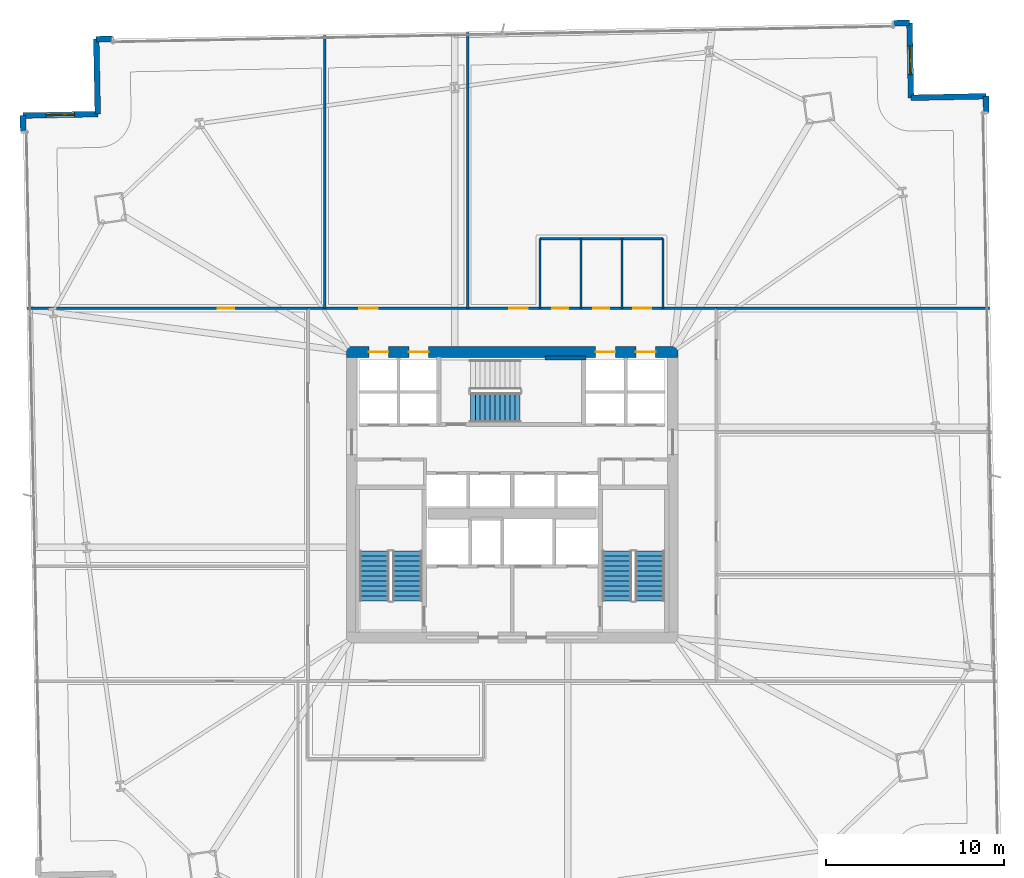
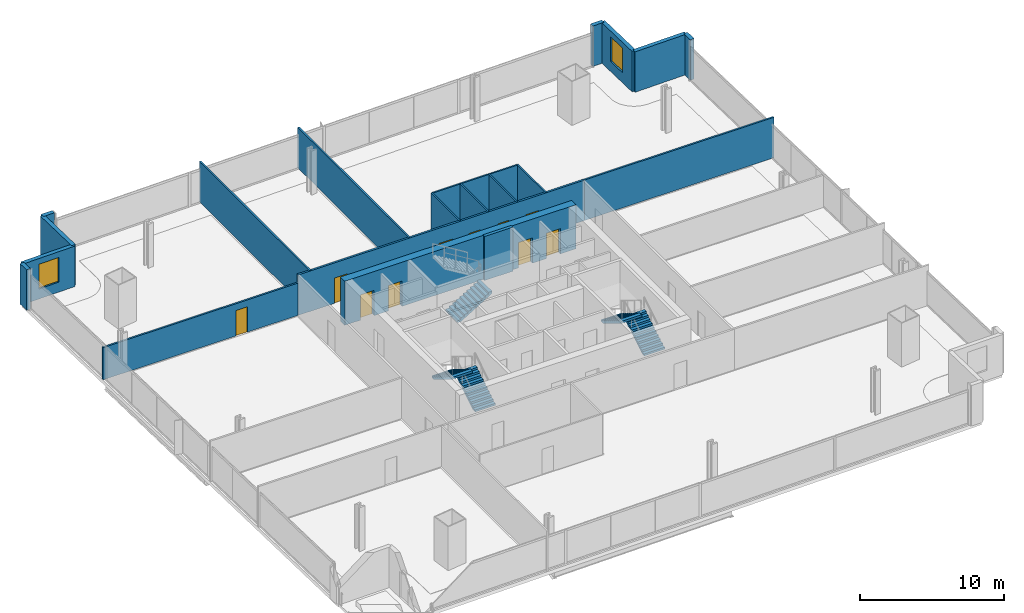
# One storey, part 29 of 35: 20 walls, 10 doors, 5 stair flights, 2 windows, 12 openings, 3 elements without a shape of their own.
"""IFC4 building model written with IfcOpenShell, lengths in metres."""

from ifc_helpers import new_model, si_unit, direction, frame, frame_2d, origin, place, context, subcontext, project, spatial, polyline, rectangle, outline, extrude, material, layer, layer_set, type_object, element, fill, aggregate, save


model = new_model("IFC4")

# Units and contexts
model_context = context("Model", 3, precision=1e-05, world=origin(), true_north=direction((0.0, 1.0)))
body_context = subcontext(model_context, "Body", "Model", "MODEL_VIEW")
ifc_project = project(units=[si_unit("LENGTHUNIT", "METRE"), si_unit("AREAUNIT", "SQUARE_METRE"), si_unit("VOLUMEUNIT", "CUBIC_METRE"), si_unit("PLANEANGLEUNIT", "RADIAN"), si_unit("MASSUNIT", "GRAM", prefix="KILO")], contexts=[model_context])

# Site, building, storey
site_placement = place(None, origin())
site = spatial("IfcSite", under=ifc_project, at=site_placement, CompositionType="ELEMENT")
building_placement = place(site_placement, origin())
building = spatial("IfcBuilding", under=site, at=building_placement, Name="Haldenkirk Collegiate Tower", CompositionType="ELEMENT")
storey_placement = place(building_placement, frame((0.0, 0.0, 32.699951171875)))
storey = spatial("IfcBuildingStorey", under=building, at=storey_placement, Name="L06", CompositionType="ELEMENT", Elevation=32.699951171875)

# Wall, openings, doors
ifc_material_1 = material(Name="Concrete f'c 70 MPa", Category="concrete")
ifc_layer_1 = layer(ifc_material_1, 0.60009765625)
ifc_layer_set_1 = layer_set([ifc_layer_1], Name="Concrete f'c 70 MPa")
wall_type_1 = type_object("IfcWallType", Name="WL-CORE-600", PredefinedType="SHEAR", material=ifc_layer_set_1)
wall_1_placement = place(storey_placement, frame((26.699951171875, 34.0, 0.0), z_axis=(0.0, 0.0, 1.0), x_axis=(1.0, 0.0, 0.0)))
wall_1 = element("IfcWall", 1, at=wall_1_placement, inside=storey, type_object=wall_type_1, Name="L06 central core shear wall N", PredefinedType="SHEAR", context=body_context, shape_type="SweptSolid", body=[
    extrude(rectangle(XDim=18.60009765625, YDim=0.60009765625, at=frame_2d((9.300048828125, 0.0))), origin(), (0.0, 0.0, 1.0), 3.75),
])
opening_1_placement = place(wall_1_placement, frame((1.264892578125, 0.0, 0.0)))
opening_1 = element("IfcOpeningElement", 2, at=opening_1_placement, cuts=wall_1, Name="Opening LD-11", PredefinedType="OPENING", context=body_context, shape_type="SweptSolid", body=[
    extrude(rectangle(XDim=1.10009765625, YDim=2.14990234375, at=frame_2d((0.550048828125, 1.074951171875))), frame((0.0, 0.31005859375, 0.0), z_axis=(0.0, -1.0, 0.0), x_axis=(1.0, 0.0, 0.0)), (0.0, 0.0, 1.0), 0.6201171875),
])
opening_2_placement = place(wall_1_placement, frame((3.514892578125, 0.0, 0.0)))
opening_2 = element("IfcOpeningElement", 3, at=opening_2_placement, cuts=wall_1, Name="Opening LD-11", PredefinedType="OPENING", context=body_context, shape_type="SweptSolid", body=[
    extrude(rectangle(XDim=1.10009765625, YDim=2.14990234375, at=frame_2d((0.550048828125, 1.074951171875))), frame((0.0, 0.31005859375, 0.0), z_axis=(0.0, -1.0, 0.0), x_axis=(1.0, 0.0, 0.0)), (0.0, 0.0, 1.0), 0.6201171875),
])
opening_3_placement = place(wall_1_placement, frame((13.985107421875, 0.0, 0.0)))
opening_3 = element("IfcOpeningElement", 4, at=opening_3_placement, cuts=wall_1, Name="Opening LD-11", PredefinedType="OPENING", context=body_context, shape_type="SweptSolid", body=[
    extrude(rectangle(XDim=1.10009765625, YDim=2.14990234375, at=frame_2d((0.550048828125, 1.074951171875))), frame((0.0, 0.31005859375, 0.0), z_axis=(0.0, -1.0, 0.0), x_axis=(1.0, 0.0, 0.0)), (0.0, 0.0, 1.0), 0.6201171875),
])
opening_4_placement = place(wall_1_placement, frame((16.235107421875, 0.0, 0.0)))
opening_4 = element("IfcOpeningElement", 5, at=opening_4_placement, cuts=wall_1, Name="Opening LD-11", PredefinedType="OPENING", context=body_context, shape_type="SweptSolid", body=[
    extrude(rectangle(XDim=1.10009765625, YDim=2.14990234375, at=frame_2d((0.550048828125, 1.074951171875))), frame((0.0, 0.31005859375, 0.0), z_axis=(0.0, -1.0, 0.0), x_axis=(1.0, 0.0, 0.0)), (0.0, 0.0, 1.0), 0.6201171875),
])
ifc_material_2 = material(Name="Brushed architectural stainless steel", Category="steel")
ifc_layer_2 = layer(ifc_material_2, 0.06005859375)
ifc_layer_set_2 = layer_set([ifc_layer_2], Name="Brushed architectural stainless steel")
door_type_1 = type_object("IfcDoorType", Name="LD-PASS-1100", OperationType="NOTDEFINED", PredefinedType="DOOR", material=ifc_layer_set_2)
door_1_placement = place(opening_1_placement, origin())
door_1 = element("IfcDoor", 6, at=door_1_placement, inside=storey, type_object=door_type_1, Name="L06 Elevator PL3 sliding landing door", OperationType="SLIDING_TO_LEFT", OverallHeight=2.14990234375, OverallWidth=1.10009765625, PredefinedType="DOOR", context=body_context, shape_type="SweptSolid", body=[
    extrude(rectangle(XDim=1.10009765625, YDim=2.14990234375, at=frame_2d((0.550048828125, 1.074951171875))), frame((0.0, 0.02490234375, 0.0), z_axis=(0.0, -1.0, 0.0), x_axis=(1.0, 0.0, 0.0)), (0.0, 0.0, 1.0), 0.050048828125),
])
fill(opening_1, door_1)
door_2_placement = place(opening_2_placement, origin())
door_2 = element("IfcDoor", 7, at=door_2_placement, inside=storey, type_object=door_type_1, Name="L06 Elevator PL4 sliding landing door", OperationType="SLIDING_TO_LEFT", OverallHeight=2.14990234375, OverallWidth=1.10009765625, PredefinedType="DOOR", context=body_context, shape_type="SweptSolid", body=[
    extrude(rectangle(XDim=1.10009765625, YDim=2.14990234375, at=frame_2d((0.550048828125, 1.074951171875))), frame((0.0, 0.02490234375, 0.0), z_axis=(0.0, -1.0, 0.0), x_axis=(1.0, 0.0, 0.0)), (0.0, 0.0, 1.0), 0.050048828125),
])
fill(opening_2, door_2)
door_3_placement = place(opening_3_placement, origin())
door_3 = element("IfcDoor", 8, at=door_3_placement, inside=storey, type_object=door_type_1, Name="L06 Elevator PM3 sliding landing door", OperationType="SLIDING_TO_LEFT", OverallHeight=2.14990234375, OverallWidth=1.10009765625, PredefinedType="DOOR", context=body_context, shape_type="SweptSolid", body=[
    extrude(rectangle(XDim=1.10009765625, YDim=2.14990234375, at=frame_2d((0.550048828125, 1.074951171875))), frame((0.0, 0.02490234375, 0.0), z_axis=(0.0, -1.0, 0.0), x_axis=(1.0, 0.0, 0.0)), (0.0, 0.0, 1.0), 0.050048828125),
])
fill(opening_3, door_3)
door_4_placement = place(opening_4_placement, origin())
door_4 = element("IfcDoor", 9, at=door_4_placement, inside=storey, type_object=door_type_1, Name="L06 Elevator PM4 sliding landing door", OperationType="SLIDING_TO_LEFT", OverallHeight=2.14990234375, OverallWidth=1.10009765625, PredefinedType="DOOR", context=body_context, shape_type="SweptSolid", body=[
    extrude(rectangle(XDim=1.10009765625, YDim=2.14990234375, at=frame_2d((0.550048828125, 1.074951171875))), frame((0.0, 0.02490234375, 0.0), z_axis=(0.0, -1.0, 0.0), x_axis=(1.0, 0.0, 0.0)), (0.0, 0.0, 1.0), 0.050048828125),
])
fill(opening_4, door_4)

# Walls
ifc_material_3 = material(Name="Precast concrete f'c 40 MPa", Category="concrete")
ifc_layer_3 = layer(ifc_material_3, 0.320068359375)
ifc_layer_set_3 = layer_set([ifc_layer_3], Name="Precast concrete f'c 40 MPa")
wall_type_2 = type_object("IfcWallType", Name="WL-EXT-TWR-320", PredefinedType="STANDARD", material=ifc_layer_set_3)
wall_2_placement = place(storey_placement, frame((62.556884765625, 48.33740234375, 0.0), z_axis=(0.0, 0.0, 1.0), x_axis=(0.020348567431, -0.999792946466, 0.0)))
element("IfcWall", 10, at=wall_2_placement, inside=storey, type_object=wall_type_2, Name="L06 precast corner pier EL", PredefinedType="STANDARD", context=body_context, shape_type="SweptSolid", body=[
    extrude(rectangle(XDim=0.89990234375, YDim=0.320068359375, at=frame_2d((0.449951171875, 0.0))), origin(), (0.0, 0.0, 1.0), 3.43994140625),
])
wall_3_placement = place(storey_placement, frame((58.35791015625, 48.253173828125, 0.0), z_axis=(0.0, 0.0, 1.0), x_axis=(0.99979887282, 0.020055271302, 0.0)))
element("IfcWall", 11, at=wall_3_placement, inside=storey, type_object=wall_type_2, Name="L06 bronze precast notch wall 05", PredefinedType="STANDARD", context=body_context, shape_type="SweptSolid", body=[
    extrude(rectangle(XDim=4.19970703125, YDim=0.320068359375, at=frame_2d((2.099853515625, 0.0))), origin(), (0.0, 0.0, 1.0), 3.43994140625),
])

# Wall, opening, window
wall_4_placement = place(storey_placement, frame((58.273681640625, 52.452392578125, 0.0), z_axis=(0.0, 0.0, 1.0), x_axis=(0.020054105767, -0.9997988962, 0.0)))
wall_4 = element("IfcWall", 12, at=wall_4_placement, inside=storey, type_object=wall_type_2, Name="L06 bronze precast notch wall 06", PredefinedType="STANDARD", context=body_context, shape_type="SweptSolid", body=[
    extrude(rectangle(XDim=4.199951171875, YDim=0.320068359375, at=frame_2d((2.10009765625, 0.0))), origin(), (0.0, 0.0, 1.0), 3.43994140625),
])
opening_5_placement = place(wall_4_placement, frame((1.300048828125, 0.0, 0.85009765625)))
opening_5 = element("IfcOpeningElement", 13, at=opening_5_placement, cuts=wall_4, Name="Opening W-03", PredefinedType="OPENING", context=body_context, shape_type="SweptSolid", body=[
    extrude(rectangle(XDim=1.60009765625, YDim=2.10009765625, at=frame_2d((0.800048828125, 1.050048828125))), frame((0.0, 0.169921875, 0.0), z_axis=(0.0, -1.0, 0.0), x_axis=(1.0, 0.0, 0.0)), (0.0, 0.0, 1.0), 0.340087890625),
])
ifc_material_4 = material(Name="Low-E argon triple insulating glass", Category="glass")
ifc_layer_4 = layer(ifc_material_4, 0.090087890625)
ifc_layer_set_4 = layer_set([ifc_layer_4], Name="Low-E argon triple insulating glass")
window_type = type_object("IfcWindowType", Name="WN-Z1-1600X2100", PartitioningType="SINGLE_PANEL", PredefinedType="WINDOW", material=ifc_layer_set_4)
window_1_placement = place(opening_5_placement, origin())
window_1 = element("IfcWindow", 14, at=window_1_placement, inside=storey, type_object=window_type, Name="L06 precast-frame academic window 5", OverallHeight=2.10009765625, OverallWidth=1.60009765625, PartitioningType="SINGLE_PANEL", PredefinedType="WINDOW", context=body_context, shape_type="SweptSolid", body=[
    extrude(rectangle(XDim=1.60009765625, YDim=2.10009765625, at=frame_2d((0.800048828125, 1.050048828125))), frame((0.0, 0.030029296875, 0.0), z_axis=(0.0, -1.0, 0.0), x_axis=(1.0, 0.0, 0.0)), (0.0, 0.0, 1.0), 0.06005859375),
])
fill(opening_5, window_1)

# Walls
wall_5_placement = place(storey_placement, frame((12.682861328125, 51.537109375, 0.0), z_axis=(0.0, 0.0, 1.0), x_axis=(0.999792946466, 0.020348567431, 0.0)))
element("IfcWall", 15, at=wall_5_placement, inside=storey, type_object=wall_type_2, Name="L06 precast corner pier NL", PredefinedType="STANDARD", context=body_context, shape_type="SweptSolid", body=[
    extrude(rectangle(XDim=0.89990234375, YDim=0.320068359375, at=frame_2d((0.449951171875, 0.0))), origin(), (0.0, 0.0, 1.0), 3.43994140625),
])
wall_6_placement = place(storey_placement, frame((57.373779296875, 52.434326171875, 0.0), z_axis=(0.0, 0.0, 1.0), x_axis=(0.999798538749, 0.020071918575, 0.0)))
element("IfcWall", 16, at=wall_6_placement, inside=storey, type_object=wall_type_2, Name="L06 precast corner pier NR", PredefinedType="STANDARD", context=body_context, shape_type="SweptSolid", body=[
    extrude(rectangle(XDim=0.900146484375, YDim=0.320068359375, at=frame_2d((0.4501953125, 0.0))), origin(), (0.0, 0.0, 1.0), 3.43994140625),
])
wall_7_placement = place(storey_placement, frame((12.76708984375, 47.337890625, 0.0), z_axis=(0.0, 0.0, 1.0), x_axis=(-0.020054105767, 0.9997988962, 0.0)))
element("IfcWall", 17, at=wall_7_placement, inside=storey, type_object=wall_type_2, Name="L06 bronze precast notch wall 08", PredefinedType="STANDARD", context=body_context, shape_type="SweptSolid", body=[
    extrude(rectangle(XDim=4.199951171875, YDim=0.320068359375, at=frame_2d((2.10009765625, 0.0))), origin(), (0.0, 0.0, 1.0), 3.43994140625),
])

# Wall, opening, window
wall_8_placement = place(storey_placement, frame((8.56787109375, 47.253662109375, 0.0), z_axis=(0.0, 0.0, 1.0), x_axis=(0.9997988962, 0.020054105767, 0.0)))
wall_8 = element("IfcWall", 18, at=wall_8_placement, inside=storey, type_object=wall_type_2, Name="L06 bronze precast notch wall 09", PredefinedType="STANDARD", context=body_context, shape_type="SweptSolid", body=[
    extrude(rectangle(XDim=4.199951171875, YDim=0.320068359375, at=frame_2d((2.10009765625, 0.0))), origin(), (0.0, 0.0, 1.0), 3.43994140625),
])
opening_6_placement = place(wall_8_placement, frame((1.300048828125, 0.0, 0.85009765625)))
opening_6 = element("IfcOpeningElement", 19, at=opening_6_placement, cuts=wall_8, Name="Opening W-03", PredefinedType="OPENING", context=body_context, shape_type="SweptSolid", body=[
    extrude(rectangle(XDim=1.60009765625, YDim=2.10009765625, at=frame_2d((0.800048828125, 1.050048828125))), frame((0.0, 0.169921875, 0.0), z_axis=(0.0, -1.0, 0.0), x_axis=(1.0, 0.0, 0.0)), (0.0, 0.0, 1.0), 0.340087890625),
])
window_2_placement = place(opening_6_placement, origin())
window_2 = element("IfcWindow", 20, at=window_2_placement, inside=storey, type_object=window_type, Name="L06 precast-frame academic window 8", OverallHeight=2.10009765625, OverallWidth=1.60009765625, PartitioningType="SINGLE_PANEL", PredefinedType="WINDOW", context=body_context, shape_type="SweptSolid", body=[
    extrude(rectangle(XDim=1.60009765625, YDim=2.10009765625, at=frame_2d((0.800048828125, 1.050048828125))), frame((0.0, 0.030029296875, 0.0), z_axis=(0.0, -1.0, 0.0), x_axis=(1.0, 0.0, 0.0)), (0.0, 0.0, 1.0), 0.06005859375),
])
fill(opening_6, window_2)

# Wall
wall_9_placement = place(storey_placement, frame((8.5859375, 46.35400390625, 0.0), z_axis=(0.0, 0.0, 1.0), x_axis=(-0.020077363305, 0.999798429426, 0.0)))
element("IfcWall", 21, at=wall_9_placement, inside=storey, type_object=wall_type_2, Name="L06 precast corner pier WR", PredefinedType="STANDARD", context=body_context, shape_type="SweptSolid", body=[
    extrude(rectangle(XDim=0.89990234375, YDim=0.320068359375, at=frame_2d((0.449951171875, 0.0))), origin(), (0.0, 0.0, 1.0), 3.43994140625),
])

# Wall, openings, doors
ifc_material_5 = material(Name="Acoustic fire-rated gypsum partition", Category="concrete")
ifc_layer_5 = layer(ifc_material_5, 0.159912109375)
ifc_layer_set_5 = layer_set([ifc_layer_5], Name="Acoustic fire-rated gypsum partition")
wall_type_3 = type_object("IfcWallType", Name="WL-INT-CORR-160", PredefinedType="PARTITIONING", material=ifc_layer_set_5)
wall_10_placement = place(storey_placement, frame((24.5, 36.449951171875, 0.0), z_axis=(0.0, 0.0, 1.0), x_axis=(1.0, 0.0, 0.0)))
wall_10 = element("IfcWall", 22, at=wall_10_placement, inside=storey, type_object=wall_type_3, Name="L06 interior partition IW-L06-CN", PredefinedType="PARTITIONING", context=body_context, shape_type="SweptSolid", body=[
    extrude(rectangle(XDim=23.0, YDim=0.159912109375, at=frame_2d((11.5, 0.0))), origin(), (0.0, 0.0, 1.0), 3.43994140625),
])
opening_7_placement = place(wall_10_placement, frame((13.75, 0.0, 0.0)))
opening_7 = element("IfcOpeningElement", 23, at=opening_7_placement, cuts=wall_10, Name="Opening D-13", PredefinedType="OPENING", context=body_context, shape_type="SweptSolid", body=[
    extrude(rectangle(XDim=0.89990234375, YDim=2.14990234375, at=frame_2d((0.449951171875, 1.074951171875))), frame((0.0, 0.08984375, 0.0), z_axis=(0.0, -1.0, 0.0), x_axis=(1.0, 0.0, 0.0)), (0.0, 0.0, 1.0), 0.179931640625),
])
opening_8_placement = place(wall_10_placement, frame((16.050048828125, 0.0, 0.0)))
opening_8 = element("IfcOpeningElement", 24, at=opening_8_placement, cuts=wall_10, Name="Opening D-13", PredefinedType="OPENING", context=body_context, shape_type="SweptSolid", body=[
    extrude(rectangle(XDim=0.89990234375, YDim=2.14990234375, at=frame_2d((0.449951171875, 1.074951171875))), frame((0.0, 0.08984375, 0.0), z_axis=(0.0, -1.0, 0.0), x_axis=(1.0, 0.0, 0.0)), (0.0, 0.0, 1.0), 0.179931640625),
])
opening_9_placement = place(wall_10_placement, frame((18.300048828125, 0.0, 0.0)))
opening_9 = element("IfcOpeningElement", 25, at=opening_9_placement, cuts=wall_10, Name="Opening D-14", PredefinedType="OPENING", context=body_context, shape_type="SweptSolid", body=[
    extrude(rectangle(XDim=1.0, YDim=2.14990234375, at=frame_2d((0.5, 1.074951171875))), frame((0.0, 0.08984375, 0.0), z_axis=(0.0, -1.0, 0.0), x_axis=(1.0, 0.0, 0.0)), (0.0, 0.0, 1.0), 0.179931640625),
])
opening_10_placement = place(wall_10_placement, frame((2.9150390625, 0.0, 0.0)))
opening_10 = element("IfcOpeningElement", 26, at=opening_10_placement, cuts=wall_10, Name="Opening D-09", PredefinedType="OPENING", context=body_context, shape_type="SweptSolid", body=[
    extrude(rectangle(XDim=1.050048828125, YDim=2.14990234375, at=frame_2d((0.52490234375, 1.074951171875))), frame((0.0, 0.08984375, 0.0), z_axis=(0.0, -1.0, 0.0), x_axis=(1.0, 0.0, 0.0)), (0.0, 0.0, 1.0), 0.179931640625),
])
opening_11_placement = place(wall_10_placement, frame((11.3349609375, 0.0, 0.0)))
opening_11 = element("IfcOpeningElement", 27, at=opening_11_placement, cuts=wall_10, Name="Opening D-09", PredefinedType="OPENING", context=body_context, shape_type="SweptSolid", body=[
    extrude(rectangle(XDim=1.050048828125, YDim=2.14990234375, at=frame_2d((0.52490234375, 1.074951171875))), frame((0.0, 0.08984375, 0.0), z_axis=(0.0, -1.0, 0.0), x_axis=(1.0, 0.0, 0.0)), (0.0, 0.0, 1.0), 0.179931640625),
])
ifc_material_6 = material(Name="Solid-core architectural oak fire door", Category="wood")
ifc_layer_6 = layer(ifc_material_6, 0.06005859375)
ifc_layer_set_6 = layer_set([ifc_layer_6], Name="Solid-core architectural oak fire door")
door_type_2 = type_object("IfcDoorType", Name="DR-INT-ACC-1000", OperationType="NOTDEFINED", PredefinedType="DOOR", material=ifc_layer_set_6)
door_5_placement = place(opening_9_placement, origin())
door_5 = element("IfcDoor", 28, at=door_5_placement, inside=storey, type_object=door_type_2, Name="L06 Accessible WC door", OperationType="SINGLE_SWING_RIGHT", OverallHeight=2.14990234375, OverallWidth=1.0, PredefinedType="DOOR", context=body_context, shape_type="SweptSolid", body=[
    extrude(rectangle(XDim=1.0, YDim=2.14990234375, at=frame_2d((0.5, 1.074951171875))), frame((0.0, 0.02490234375, 0.0), z_axis=(0.0, -1.0, 0.0), x_axis=(1.0, 0.0, 0.0)), (0.0, 0.0, 1.0), 0.050048828125),
])
fill(opening_9, door_5)
ifc_layer_7 = layer(ifc_material_6, 0.06005859375)
ifc_layer_set_7 = layer_set([ifc_layer_7], Name="Solid-core architectural oak fire door")
door_type_3 = type_object("IfcDoorType", Name="DR-INT-FD60-1050", OperationType="NOTDEFINED", PredefinedType="DOOR", material=ifc_layer_set_7)
door_6_placement = place(opening_10_placement, origin())
door_6 = element("IfcDoor", 29, at=door_6_placement, inside=storey, type_object=door_type_3, Name="L06 Departmental Office 4 door", OperationType="SINGLE_SWING_RIGHT", OverallHeight=2.14990234375, OverallWidth=1.050048828125, PredefinedType="DOOR", context=body_context, shape_type="SweptSolid", body=[
    extrude(rectangle(XDim=1.050048828125, YDim=2.14990234375, at=frame_2d((0.52490234375, 1.074951171875))), frame((0.0, 0.02490234375, 0.0), z_axis=(0.0, -1.0, 0.0), x_axis=(1.0, 0.0, 0.0)), (0.0, 0.0, 1.0), 0.050048828125),
])
fill(opening_10, door_6)
door_7_placement = place(opening_11_placement, origin())
door_7 = element("IfcDoor", 30, at=door_7_placement, inside=storey, type_object=door_type_3, Name="L06 Visiting Scholar Office 5 door", OperationType="SINGLE_SWING_LEFT", OverallHeight=2.14990234375, OverallWidth=1.050048828125, PredefinedType="DOOR", context=body_context, shape_type="SweptSolid", body=[
    extrude(rectangle(XDim=1.050048828125, YDim=2.14990234375, at=frame_2d((0.52490234375, 1.074951171875))), frame((0.0, 0.02490234375, 0.0), z_axis=(0.0, -1.0, 0.0), x_axis=(1.0, 0.0, 0.0)), (0.0, 0.0, 1.0), 0.050048828125),
])
fill(opening_11, door_7)
ifc_layer_8 = layer(ifc_material_6, 0.06005859375)
ifc_layer_set_8 = layer_set([ifc_layer_8], Name="Solid-core architectural oak fire door")
door_type_4 = type_object("IfcDoorType", Name="DR-INT-STD-900", OperationType="NOTDEFINED", PredefinedType="DOOR", material=ifc_layer_set_8)
door_8_placement = place(opening_7_placement, origin())
door_8 = element("IfcDoor", 31, at=door_8_placement, inside=storey, type_object=door_type_4, Name="L06 Male WC door", OperationType="SINGLE_SWING_RIGHT", OverallHeight=2.14990234375, OverallWidth=0.89990234375, PredefinedType="DOOR", context=body_context, shape_type="SweptSolid", body=[
    extrude(rectangle(XDim=0.89990234375, YDim=2.14990234375, at=frame_2d((0.449951171875, 1.074951171875))), frame((0.0, 0.02490234375, 0.0), z_axis=(0.0, -1.0, 0.0), x_axis=(1.0, 0.0, 0.0)), (0.0, 0.0, 1.0), 0.050048828125),
])
fill(opening_7, door_8)
door_9_placement = place(opening_8_placement, origin())
door_9 = element("IfcDoor", 32, at=door_9_placement, inside=storey, type_object=door_type_4, Name="L06 Female WC door", OperationType="SINGLE_SWING_LEFT", OverallHeight=2.14990234375, OverallWidth=0.89990234375, PredefinedType="DOOR", context=body_context, shape_type="SweptSolid", body=[
    extrude(rectangle(XDim=0.89990234375, YDim=2.14990234375, at=frame_2d((0.449951171875, 1.074951171875))), frame((0.0, 0.02490234375, 0.0), z_axis=(0.0, -1.0, 0.0), x_axis=(1.0, 0.0, 0.0)), (0.0, 0.0, 1.0), 0.050048828125),
])
fill(opening_8, door_9)

# Wall, opening, door
ifc_layer_9 = layer(ifc_material_5, 0.139892578125)
ifc_layer_set_9 = layer_set([ifc_layer_9], Name="Acoustic fire-rated gypsum partition")
wall_type_4 = type_object("IfcWallType", Name="WL-INT-DIV-140", PredefinedType="PARTITIONING", material=ifc_layer_set_9)
wall_11_placement = place(storey_placement, frame((8.82470703125, 36.449951171875, 0.0), z_axis=(0.0, 0.0, 1.0), x_axis=(1.0, 0.0, 0.0)))
wall_11 = element("IfcWall", 33, at=wall_11_placement, inside=storey, type_object=wall_type_4, Name="L06 interior partition IW-L06-BWN", PredefinedType="PARTITIONING", context=body_context, shape_type="SweptSolid", body=[
    extrude(rectangle(XDim=15.725341796875, YDim=0.139892578125, at=frame_2d((7.86279296875, 0.0))), origin(), (0.0, 0.0, 1.0), 2.739013671875),
])
opening_12_placement = place(wall_11_placement, frame((10.65625, 0.0, 0.0)))
opening_12 = element("IfcOpeningElement", 34, at=opening_12_placement, cuts=wall_11, Name="Opening D-12", PredefinedType="OPENING", context=body_context, shape_type="SweptSolid", body=[
    extrude(rectangle(XDim=0.949951171875, YDim=2.14990234375, at=frame_2d((0.47509765625, 1.074951171875))), frame((0.0, 0.079833984375, 0.0), z_axis=(0.0, -1.0, 0.0), x_axis=(1.0, 0.0, 0.0)), (0.0, 0.0, 1.0), 0.159912109375),
])
ifc_layer_10 = layer(ifc_material_6, 0.06005859375)
ifc_layer_set_10 = layer_set([ifc_layer_10], Name="Solid-core architectural oak fire door")
door_type_5 = type_object("IfcDoorType", Name="DR-INT-STD-950", OperationType="NOTDEFINED", PredefinedType="DOOR", material=ifc_layer_set_10)
door_10_placement = place(opening_12_placement, origin())
door_10 = element("IfcDoor", 35, at=door_10_placement, inside=storey, type_object=door_type_5, Name="L06 Research Office 3 door", OperationType="SINGLE_SWING_LEFT", OverallHeight=2.14990234375, OverallWidth=0.949951171875, PredefinedType="DOOR", context=body_context, shape_type="SweptSolid", body=[
    extrude(rectangle(XDim=0.949951171875, YDim=2.14990234375, at=frame_2d((0.47509765625, 1.074951171875))), frame((0.0, 0.02490234375, 0.0), z_axis=(0.0, -1.0, 0.0), x_axis=(1.0, 0.0, 0.0)), (0.0, 0.0, 1.0), 0.050048828125),
])
fill(opening_12, door_10)

# Walls
wall_12_placement = place(storey_placement, frame((47.449951171875, 36.449951171875, 0.0), z_axis=(0.0, 0.0, 1.0), x_axis=(1.0, 0.0, 0.0)))
element("IfcWall", 36, at=wall_12_placement, inside=storey, type_object=wall_type_4, Name="L06 interior partition IW-L06-BEN", PredefinedType="PARTITIONING", context=body_context, shape_type="SweptSolid", body=[
    extrude(rectangle(XDim=15.3056640625, YDim=0.139892578125, at=frame_2d((7.65283203125, 0.0))), origin(), (0.0, 0.0, 1.0), 3.43994140625),
])
wall_13_placement = place(storey_placement, frame((25.5, 36.449951171875, 0.0), z_axis=(0.0, 0.0, 1.0), x_axis=(0.0, 1.0, 0.0)))
element("IfcWall", 37, at=wall_13_placement, inside=storey, type_object=wall_type_4, Name="L06 interior partition IW-L06-RN1", PredefinedType="PARTITIONING", context=body_context, shape_type="SweptSolid", body=[
    extrude(rectangle(XDim=15.304443359375, YDim=0.139892578125, at=frame_2d((7.65234375, 0.0))), origin(), (0.0, 0.0, 1.0), 3.43994140625),
])
wall_14_placement = place(storey_placement, frame((33.5, 36.449951171875, 0.0), z_axis=(0.0, 0.0, 1.0), x_axis=(0.0, 1.0, 0.0)))
element("IfcWall", 38, at=wall_14_placement, inside=storey, type_object=wall_type_4, Name="L06 interior partition IW-L06-RN2", PredefinedType="PARTITIONING", context=body_context, shape_type="SweptSolid", body=[
    extrude(rectangle(XDim=15.465087890625, YDim=0.139892578125, at=frame_2d((7.732421875, 0.0))), origin(), (0.0, 0.0, 1.0), 3.43994140625),
])
ifc_layer_11 = layer(ifc_material_5, 0.1201171875)
ifc_layer_set_11 = layer_set([ifc_layer_11], Name="Acoustic fire-rated gypsum partition")
wall_type_5 = type_object("IfcWallType", Name="WL-INT-WET-120", PredefinedType="PARTITIONING", material=ifc_layer_set_11)
for number, where, z_axis, x_axis, name in (
    (39, (37.550048828125, 36.449951171875, 0.0), (0.0, 0.0, 1.0), (0.0, 1.0, 0.0), "L06 interior partition IW-L06-WCW"),
    (40, (39.85009765625, 36.449951171875, 0.0), (0.0, 0.0, 1.0), (0.0, 1.0, 0.0), "L06 interior partition IW-L06-WC1"),
    (41, (42.14990234375, 36.449951171875, 0.0), (0.0, 0.0, 1.0), (0.0, 1.0, 0.0), "L06 interior partition IW-L06-WC2"),
    (42, (44.449951171875, 36.449951171875, 0.0), (0.0, 0.0, 1.0), (0.0, 1.0, 0.0), "L06 interior partition IW-L06-WCE"),
):
    element("IfcWall", number, at=place(storey_placement, frame(where, z_axis=z_axis, x_axis=x_axis)), inside=storey, type_object=wall_type_5, Name=name, PredefinedType="PARTITIONING", context=body_context, shape_type="SweptSolid", body=[
        extrude(rectangle(XDim=3.900146484375, YDim=0.1201171875, at=frame_2d((1.9501953125, 0.0))), origin(), (0.0, 0.0, 1.0), 3.43994140625),
    ])
wall_15_placement = place(storey_placement, frame((37.550048828125, 40.35009765625, 0.0), z_axis=(0.0, 0.0, 1.0), x_axis=(1.0, 0.0, 0.0)))
element("IfcWall", 43, at=wall_15_placement, inside=storey, type_object=wall_type_5, Name="L06 interior partition IW-L06-WCB", PredefinedType="PARTITIONING", context=body_context, shape_type="SweptSolid", body=[
    extrude(rectangle(XDim=6.89990234375, YDim=0.1201171875, at=frame_2d((3.449951171875, 0.0))), origin(), (0.0, 0.0, 1.0), 3.43994140625),
])
ifc_material_7 = material(Name="Concrete f'c 55 MPa", Category="concrete")
ifc_layer_12 = layer(ifc_material_7, 0.239990234375)
ifc_layer_set_12 = layer_set([ifc_layer_12], Name="Concrete f'c 55 MPa")
wall_type_6 = type_object("IfcWallType", Name="WL-SHAFT-240", PredefinedType="SHEAR", material=ifc_layer_set_12)
wall_16_placement = place(storey_placement, frame((37.85009765625, 33.659912109375, 0.0), z_axis=(0.0, 0.0, 1.0), x_axis=(1.0, 0.0, 0.0)))
element("IfcWall", 44, at=wall_16_placement, inside=storey, type_object=wall_type_6, Name="L06 stair shaft shear wall SW-L06-ST3N", PredefinedType="SHEAR", context=body_context, shape_type="SweptSolid", body=[
    extrude(rectangle(XDim=2.289794921875, YDim=0.239990234375, at=frame_2d((1.14501953125, 0.0))), origin(), (0.0, 0.0, 1.0), 3.75),
])

# Stair, stair flights
ifc_material_8 = material(Name="Concrete f'c 40 MPa", Category="concrete")
stair_type = type_object("IfcStairType", Name="STR-DOGLEG-1650", PredefinedType="HALF_TURN_STAIR", material=ifc_material_8)
stair_1_placement = place(storey_placement, origin())
stair_1 = element("IfcStair", 45, at=stair_1_placement, inside=storey, type_object=stair_type, Name="L06 Core Exit Stair ST-1", PredefinedType="HALF_TURN_STAIR")
stair_flight_type = type_object("IfcStairFlightType", Name="STF-FLIGHT-1650", PredefinedType="STRAIGHT", material=ifc_material_8)
stair_flight_1_placement = place(storey_placement, frame((30.125, 20.050048828125, 0.0), z_axis=(0.0, 0.0, 1.0), x_axis=(0.0, 1.0, 0.0)))
stair_flight_1 = element("IfcStairFlight", 46, at=stair_flight_1_placement, type_object=stair_flight_type, Name="ST-1 flight 1", NumberOfRisers=11, NumberOfTreads=10, PredefinedType="STRAIGHT", RiserHeight=0.170454545, TreadLength=0.28, context=body_context, shape_type="SweptSolid", body=[
    extrude(outline(polyline([(0.0, 0.0), (0.0, 0.17041015625), (0.280029296875, 0.17041015625), (0.280029296875, 0.3408203125), (0.56005859375, 0.3408203125), (0.56005859375, 0.511474609375), (0.840087890625, 0.511474609375), (0.840087890625, 0.681884765625), (1.1201171875, 0.681884765625), (1.1201171875, 0.852294921875), (1.39990234375, 0.852294921875), (1.39990234375, 1.022705078125), (1.679931640625, 1.022705078125), (1.679931640625, 1.193115234375), (1.9599609375, 1.193115234375), (1.9599609375, 1.363525390625), (2.239990234375, 1.363525390625), (2.239990234375, 1.5341796875), (2.52001953125, 1.5341796875), (2.52001953125, 1.70458984375), (2.800048828125, 1.70458984375), (2.800048828125, 1.875), (2.800048828125, 1.529052734375), (0.288330078125, 0.0), (0.0, 0.0)])), frame((0.0, 0.824951171875, 0.0), z_axis=(0.0, -1.0, 0.0), x_axis=(1.0, 0.0, 0.0)), (0.0, 0.0, 1.0), 1.64990234375),
])
stair_flight_2_placement = place(storey_placement, frame((28.27490234375, 22.85009765625, 1.875), z_axis=(0.0, 0.0, 1.0), x_axis=(0.0, -1.0, 0.0)))
stair_flight_2 = element("IfcStairFlight", 47, at=stair_flight_2_placement, type_object=stair_flight_type, Name="ST-1 flight 2", NumberOfRisers=11, NumberOfTreads=10, PredefinedType="STRAIGHT", RiserHeight=0.170454545, TreadLength=0.28, context=body_context, shape_type="SweptSolid", body=[
    extrude(outline(polyline([(0.0, 0.0), (0.0, 0.17041015625), (0.280029296875, 0.17041015625), (0.280029296875, 0.3408203125), (0.56005859375, 0.3408203125), (0.56005859375, 0.511474609375), (0.840087890625, 0.511474609375), (0.840087890625, 0.681884765625), (1.1201171875, 0.681884765625), (1.1201171875, 0.852294921875), (1.39990234375, 0.852294921875), (1.39990234375, 1.022705078125), (1.679931640625, 1.022705078125), (1.679931640625, 1.193115234375), (1.9599609375, 1.193115234375), (1.9599609375, 1.363525390625), (2.239990234375, 1.363525390625), (2.239990234375, 1.5341796875), (2.52001953125, 1.5341796875), (2.52001953125, 1.70458984375), (2.800048828125, 1.70458984375), (2.800048828125, 1.875), (2.800048828125, 1.529052734375), (0.288330078125, 0.0), (0.0, 0.0)])), frame((0.0, 0.824951171875, 0.0), z_axis=(0.0, -1.0, 0.0), x_axis=(1.0, 0.0, 0.0)), (0.0, 0.0, 1.0), 1.64990234375),
])
aggregate(stair_1, [stair_flight_1, stair_flight_2])

stair_2_placement = place(storey_placement, origin())
stair_2 = element("IfcStair", 48, at=stair_2_placement, inside=storey, type_object=stair_type, Name="L06 Core Exit Stair ST-2", PredefinedType="HALF_TURN_STAIR")
stair_flight_3_placement = place(storey_placement, frame((43.72509765625, 20.050048828125, 0.0), z_axis=(0.0, 0.0, 1.0), x_axis=(0.0, 1.0, 0.0)))
stair_flight_3 = element("IfcStairFlight", 49, at=stair_flight_3_placement, type_object=stair_flight_type, Name="ST-2 flight 1", NumberOfRisers=11, NumberOfTreads=10, PredefinedType="STRAIGHT", RiserHeight=0.170454545, TreadLength=0.28, context=body_context, shape_type="SweptSolid", body=[
    extrude(outline(polyline([(0.0, 0.0), (0.0, 0.17041015625), (0.280029296875, 0.17041015625), (0.280029296875, 0.3408203125), (0.56005859375, 0.3408203125), (0.56005859375, 0.511474609375), (0.840087890625, 0.511474609375), (0.840087890625, 0.681884765625), (1.1201171875, 0.681884765625), (1.1201171875, 0.852294921875), (1.39990234375, 0.852294921875), (1.39990234375, 1.022705078125), (1.679931640625, 1.022705078125), (1.679931640625, 1.193115234375), (1.9599609375, 1.193115234375), (1.9599609375, 1.363525390625), (2.239990234375, 1.363525390625), (2.239990234375, 1.5341796875), (2.52001953125, 1.5341796875), (2.52001953125, 1.70458984375), (2.800048828125, 1.70458984375), (2.800048828125, 1.875), (2.800048828125, 1.529052734375), (0.288330078125, 0.0), (0.0, 0.0)])), frame((0.0, 0.824951171875, 0.0), z_axis=(0.0, -1.0, 0.0), x_axis=(1.0, 0.0, 0.0)), (0.0, 0.0, 1.0), 1.64990234375),
])
stair_flight_4_placement = place(storey_placement, frame((41.875, 22.85009765625, 1.875), z_axis=(0.0, 0.0, 1.0), x_axis=(0.0, -1.0, 0.0)))
stair_flight_4 = element("IfcStairFlight", 50, at=stair_flight_4_placement, type_object=stair_flight_type, Name="ST-2 flight 2", NumberOfRisers=11, NumberOfTreads=10, PredefinedType="STRAIGHT", RiserHeight=0.170454545, TreadLength=0.28, context=body_context, shape_type="SweptSolid", body=[
    extrude(outline(polyline([(0.0, 0.0), (0.0, 0.17041015625), (0.280029296875, 0.17041015625), (0.280029296875, 0.3408203125), (0.56005859375, 0.3408203125), (0.56005859375, 0.511474609375), (0.840087890625, 0.511474609375), (0.840087890625, 0.681884765625), (1.1201171875, 0.681884765625), (1.1201171875, 0.852294921875), (1.39990234375, 0.852294921875), (1.39990234375, 1.022705078125), (1.679931640625, 1.022705078125), (1.679931640625, 1.193115234375), (1.9599609375, 1.193115234375), (1.9599609375, 1.363525390625), (2.239990234375, 1.363525390625), (2.239990234375, 1.5341796875), (2.52001953125, 1.5341796875), (2.52001953125, 1.70458984375), (2.800048828125, 1.70458984375), (2.800048828125, 1.875), (2.800048828125, 1.529052734375), (0.288330078125, 0.0), (0.0, 0.0)])), frame((0.0, 0.824951171875, 0.0), z_axis=(0.0, -1.0, 0.0), x_axis=(1.0, 0.0, 0.0)), (0.0, 0.0, 1.0), 1.64990234375),
])
aggregate(stair_2, [stair_flight_3, stair_flight_4])

# Stair, stair flight
stair_3_placement = place(storey_placement, origin())
stair_3 = element("IfcStair", 51, at=stair_3_placement, inside=storey, type_object=stair_type, Name="L06 Core Exit Stair ST-3", PredefinedType="HALF_TURN_STAIR")
stair_flight_5_placement = place(storey_placement, frame((33.64990234375, 30.875, 0.0), z_axis=(0.0, 0.0, 1.0), x_axis=(1.0, 0.0, 0.0)))
stair_flight_5 = element("IfcStairFlight", 52, at=stair_flight_5_placement, type_object=stair_flight_type, Name="ST-3 flight 1", NumberOfRisers=11, NumberOfTreads=10, PredefinedType="STRAIGHT", RiserHeight=0.170454545, TreadLength=0.28, context=body_context, shape_type="SweptSolid", body=[
    extrude(outline(polyline([(0.0, 0.0), (0.0, 0.17041015625), (0.280029296875, 0.17041015625), (0.280029296875, 0.3408203125), (0.56005859375, 0.3408203125), (0.56005859375, 0.511474609375), (0.840087890625, 0.511474609375), (0.840087890625, 0.681884765625), (1.1201171875, 0.681884765625), (1.1201171875, 0.852294921875), (1.39990234375, 0.852294921875), (1.39990234375, 1.022705078125), (1.679931640625, 1.022705078125), (1.679931640625, 1.193115234375), (1.9599609375, 1.193115234375), (1.9599609375, 1.363525390625), (2.239990234375, 1.363525390625), (2.239990234375, 1.5341796875), (2.52001953125, 1.5341796875), (2.52001953125, 1.70458984375), (2.800048828125, 1.70458984375), (2.800048828125, 1.875), (2.800048828125, 1.529052734375), (0.288330078125, 0.0), (0.0, 0.0)])), frame((0.0, 0.824951171875, 0.0), z_axis=(0.0, -1.0, 0.0), x_axis=(1.0, 0.0, 0.0)), (0.0, 0.0, 1.0), 1.64990234375),
])
aggregate(stair_3, [stair_flight_5])

save(model, "model.ifc")
